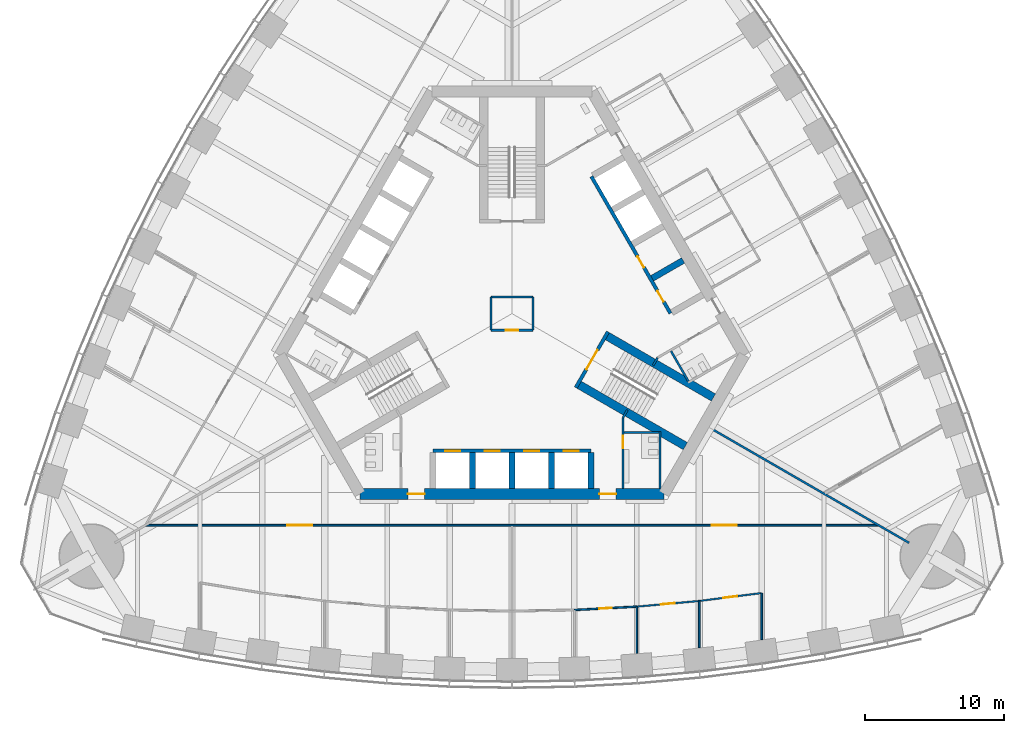
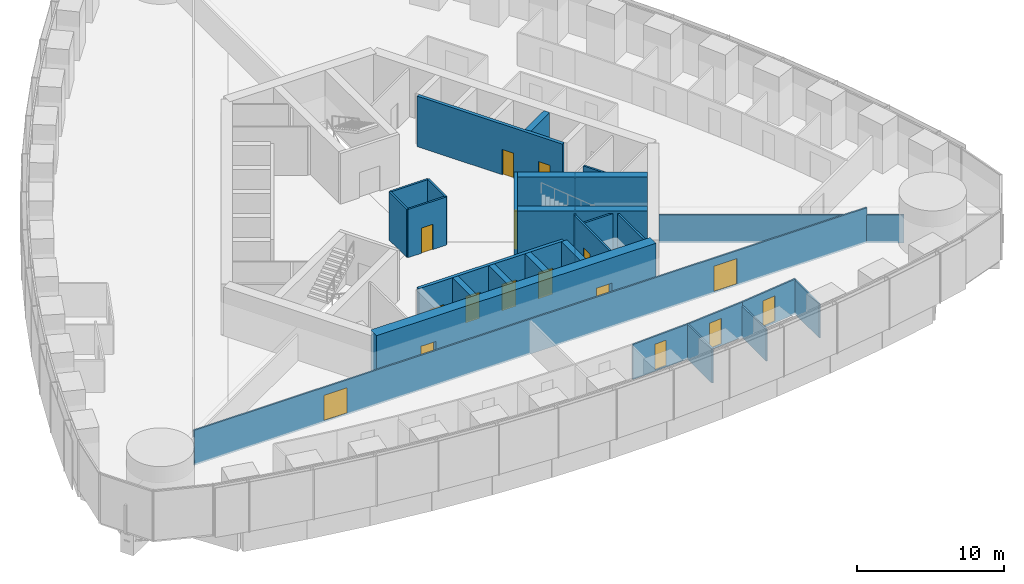
# One storey, part 11 of 18: 29 walls, 16 doors, 16 openings.
"""IFC4 building model written with IfcOpenShell, lengths in metres."""

from ifc_helpers import new_model, si_unit, direction, frame, frame_2d, origin, place, context, subcontext, project, spatial, rectangle, extrude, material, layer, layer_set, type_object, element, fill, save


model = new_model("IFC4")

# Units and contexts
model_context = context("Model", 3, precision=1e-05, world=origin(), true_north=direction((0.0, 1.0)))
body_context = subcontext(model_context, "Body", "Model", "MODEL_VIEW")
ifc_project = project(units=[si_unit("LENGTHUNIT", "METRE"), si_unit("AREAUNIT", "SQUARE_METRE"), si_unit("VOLUMEUNIT", "CUBIC_METRE"), si_unit("PLANEANGLEUNIT", "RADIAN"), si_unit("MASSUNIT", "GRAM", prefix="KILO")], contexts=[model_context])

# Site, building, storey
site_placement = place(None, origin())
site = spatial("IfcSite", under=ifc_project, at=site_placement, CompositionType="ELEMENT")
building_placement = place(site_placement, origin())
building = spatial("IfcBuilding", under=site, at=building_placement, Name="Trefoil Bronze Tower", CompositionType="ELEMENT")
storey_placement = place(building_placement, frame((0.0, 0.0, 111.5)))
storey = spatial("IfcBuildingStorey", under=building, at=storey_placement, Name="L25", CompositionType="ELEMENT", Elevation=111.5)

# Wall, openings, doors
ifc_material_1 = material(Name="Concrete B80", Category="concrete")
ifc_layer_1 = layer(ifc_material_1, 0.800048828125)
ifc_layer_set_1 = layer_set([ifc_layer_1], Name="Core wall 800")
wall_type_1 = type_object("IfcWallType", Name="Core wall 800", PredefinedType="SHEAR", material=ifc_layer_set_1)
wall_1_placement = place(storey_placement, frame((-10.9697265625, -13.0, 0.0), z_axis=(0.0, 0.0, 1.0), x_axis=(1.0, 0.0, 0.0)))
wall_1 = element("IfcWall", 1, at=wall_1_placement, inside=storey, type_object=wall_type_1, Name="Core long wall 1 L25", PredefinedType="SHEAR", context=body_context, shape_type="SweptSolid", body=[
    extrude(rectangle(XDim=21.939453125, YDim=0.800048828125, at=frame_2d((10.9697265625, 0.0))), origin(), (0.0, 0.0, 1.0), 4.199951171875),
])
opening_1_placement = place(wall_1_placement, frame((17.269775390625, 0.0, 0.0)))
opening_1 = element("IfcOpeningElement", 2, at=opening_1_placement, cuts=wall_1, Name="Opening D2", PredefinedType="OPENING", context=body_context, shape_type="SweptSolid", body=[
    extrude(rectangle(XDim=1.199951171875, YDim=2.10009765625, at=frame_2d((0.60009765625, 1.050048828125))), frame((0.0, 0.409912109375, 0.0), z_axis=(0.0, -1.0, 0.0), x_axis=(1.0, 0.0, 0.0)), (0.0, 0.0, 1.0), 0.820068359375),
])
opening_2_placement = place(wall_1_placement, frame((3.4697265625, 0.0, 0.0)))
opening_2 = element("IfcOpeningElement", 3, at=opening_2_placement, cuts=wall_1, Name="Opening D2", PredefinedType="OPENING", context=body_context, shape_type="SweptSolid", body=[
    extrude(rectangle(XDim=1.199951171875, YDim=2.10009765625, at=frame_2d((0.60009765625, 1.050048828125))), frame((0.0, 0.409912109375, 0.0), z_axis=(0.0, -1.0, 0.0), x_axis=(1.0, 0.0, 0.0)), (0.0, 0.0, 1.0), 0.820068359375),
])
ifc_material_2 = material(Name="Steel door", Category="steel")
door_type_1 = type_object("IfcDoorType", Name="Lobby door 1200", OperationType="SINGLE_SWING_RIGHT", PredefinedType="DOOR", material=ifc_material_2)
door_1_placement = place(opening_1_placement, origin())
door_1 = element("IfcDoor", 4, at=door_1_placement, inside=storey, type_object=door_type_1, Name="Lobby door F1+ L25", OperationType="SINGLE_SWING_RIGHT", OverallHeight=2.10009765625, OverallWidth=1.199951171875, PredefinedType="DOOR", context=body_context, shape_type="SweptSolid", body=[
    extrude(rectangle(XDim=1.199951171875, YDim=2.10009765625, at=frame_2d((0.60009765625, 1.050048828125))), frame((0.0, 0.02490234375, 0.0), z_axis=(0.0, -1.0, 0.0), x_axis=(1.0, 0.0, 0.0)), (0.0, 0.0, 1.0), 0.050048828125),
])
fill(opening_1, door_1)
door_2_placement = place(opening_2_placement, origin())
door_2 = element("IfcDoor", 5, at=door_2_placement, inside=storey, type_object=door_type_1, Name="Lobby door F1- L25", OperationType="SINGLE_SWING_LEFT", OverallHeight=2.10009765625, OverallWidth=1.199951171875, PredefinedType="DOOR", context=body_context, shape_type="SweptSolid", body=[
    extrude(rectangle(XDim=1.199951171875, YDim=2.10009765625, at=frame_2d((0.60009765625, 1.050048828125))), frame((0.0, 0.02490234375, 0.0), z_axis=(0.0, -1.0, 0.0), x_axis=(1.0, 0.0, 0.0)), (0.0, 0.0, 1.0), 0.050048828125),
])
fill(opening_2, door_2)

ifc_material_3 = material(Name="Glazed partition", Category="glass")
ifc_layer_2 = layer(ifc_material_3, 0.1201171875)
ifc_layer_set_2 = layer_set([ifc_layer_2], Name="Glazed partition 120")
wall_type_2 = type_object("IfcWallType", Name="Glazed partition 120", PredefinedType="PARTITIONING", material=ifc_layer_set_2)
wall_2_placement = place(storey_placement, frame((-26.398193359375, -15.260009765625, 0.0), z_axis=(0.0, 0.0, 1.0), x_axis=(1.0, 0.0, 0.0)))
wall_2 = element("IfcWall", 6, at=wall_2_placement, inside=storey, type_object=wall_type_2, Name="Partition F1 L25", PredefinedType="PARTITIONING", context=body_context, shape_type="SweptSolid", body=[
    extrude(rectangle(XDim=52.79638671875, YDim=0.1201171875, at=frame_2d((26.398193359375, 0.0))), origin(), (0.0, 0.0, 1.0), 2.89990234375),
])
opening_3_placement = place(wall_2_placement, frame((10.199951171875, 0.0, 0.14990234375)))
opening_3 = element("IfcOpeningElement", 7, at=opening_3_placement, cuts=wall_2, Name="Opening D10", PredefinedType="OPENING", context=body_context, shape_type="SweptSolid", body=[
    extrude(rectangle(XDim=1.800048828125, YDim=2.10009765625, at=frame_2d((0.89990234375, 1.050048828125))), frame((0.0, 0.070068359375, 0.0), z_axis=(0.0, -1.0, 0.0), x_axis=(1.0, 0.0, 0.0)), (0.0, 0.0, 1.0), 0.14013671875),
])
opening_4_placement = place(wall_2_placement, frame((40.800048828125, 0.0, 0.14990234375)))
opening_4 = element("IfcOpeningElement", 8, at=opening_4_placement, cuts=wall_2, Name="Opening D10", PredefinedType="OPENING", context=body_context, shape_type="SweptSolid", body=[
    extrude(rectangle(XDim=1.800048828125, YDim=2.10009765625, at=frame_2d((0.89990234375, 1.050048828125))), frame((0.0, 0.070068359375, 0.0), z_axis=(0.0, -1.0, 0.0), x_axis=(1.0, 0.0, 0.0)), (0.0, 0.0, 1.0), 0.14013671875),
])
ifc_material_4 = material(Name="Timber door", Category="wood")
door_type_2 = type_object("IfcDoorType", Name="Double door 1800", OperationType="DOUBLE_DOOR_SINGLE_SWING", PredefinedType="DOOR", material=ifc_material_4)
door_3_placement = place(opening_3_placement, origin())
door_3 = element("IfcDoor", 9, at=door_3_placement, inside=storey, type_object=door_type_2, Name="Corridor door F1 L25", OperationType="DOUBLE_DOOR_SINGLE_SWING", OverallHeight=2.10009765625, OverallWidth=1.800048828125, PredefinedType="DOOR", context=body_context, shape_type="SweptSolid", body=[
    extrude(rectangle(XDim=1.800048828125, YDim=2.10009765625, at=frame_2d((0.89990234375, 1.050048828125))), frame((0.0, 0.02490234375, 0.0), z_axis=(0.0, -1.0, 0.0), x_axis=(1.0, 0.0, 0.0)), (0.0, 0.0, 1.0), 0.050048828125),
])
fill(opening_3, door_3)
door_4_placement = place(opening_4_placement, origin())
door_4 = element("IfcDoor", 10, at=door_4_placement, inside=storey, type_object=door_type_2, Name="Corridor door F1 L25", OperationType="DOUBLE_DOOR_SINGLE_SWING", OverallHeight=2.10009765625, OverallWidth=1.800048828125, PredefinedType="DOOR", context=body_context, shape_type="SweptSolid", body=[
    extrude(rectangle(XDim=1.800048828125, YDim=2.10009765625, at=frame_2d((0.89990234375, 1.050048828125))), frame((0.0, 0.02490234375, 0.0), z_axis=(0.0, -1.0, 0.0), x_axis=(1.0, 0.0, 0.0)), (0.0, 0.0, 1.0), 0.050048828125),
])
fill(opening_4, door_4)

# Wall, opening, door
wall_3_placement = place(storey_placement, frame((13.5, -20.7177734375, 0.0), z_axis=(0.0, 0.0, 1.0), x_axis=(0.992010652594, 0.12615413247, 0.0)))
wall_3 = element("IfcWall", 11, at=wall_3_placement, inside=storey, type_object=wall_type_2, Name="Partition F1 L25", PredefinedType="PARTITIONING", context=body_context, shape_type="SweptSolid", body=[
    extrude(rectangle(XDim=4.5361328125, YDim=0.1201171875, at=frame_2d((2.26806640625, 0.0))), origin(), (0.0, 0.0, 1.0), 2.89990234375),
])
opening_5_placement = place(wall_3_placement, frame((1.75, 0.0, 0.14990234375)))
opening_5 = element("IfcOpeningElement", 12, at=opening_5_placement, cuts=wall_3, Name="Opening D9", PredefinedType="OPENING", context=body_context, shape_type="SweptSolid", body=[
    extrude(rectangle(XDim=1.0, YDim=2.10009765625, at=frame_2d((0.5, 1.050048828125))), frame((0.0, 0.070068359375, 0.0), z_axis=(0.0, -1.0, 0.0), x_axis=(1.0, 0.0, 0.0)), (0.0, 0.0, 1.0), 0.14013671875),
])
ifc_material_5 = material(Name="Glazed timber door", Category="wood")
door_type_3 = type_object("IfcDoorType", Name="Meeting room door 1000", OperationType="SINGLE_SWING_LEFT", PredefinedType="DOOR", material=ifc_material_5)
door_5_placement = place(opening_5_placement, frame((1.0, 0.0, 0.0), z_axis=(0.0, 0.0, 1.0), x_axis=(-1.0, 0.0, 0.0)))
door_5 = element("IfcDoor", 13, at=door_5_placement, inside=storey, type_object=door_type_3, Name="Meeting room door F1 L25", OperationType="SINGLE_SWING_RIGHT", OverallHeight=2.10009765625, OverallWidth=1.0, PredefinedType="DOOR", context=body_context, shape_type="SweptSolid", body=[
    extrude(rectangle(XDim=1.0, YDim=2.10009765625, at=frame_2d((0.5, 1.050048828125))), frame((0.0, 0.02490234375, 0.0), z_axis=(0.0, -1.0, 0.0), x_axis=(1.0, 0.0, 0.0)), (0.0, 0.0, 1.0), 0.050048828125),
])
fill(opening_5, door_5)

wall_4_placement = place(storey_placement, frame((4.5, -21.36865234375, 0.0), z_axis=(0.0, 0.0, 1.0), x_axis=(0.998537376538, 0.054065771581, 0.0)))
wall_4 = element("IfcWall", 14, at=wall_4_placement, inside=storey, type_object=wall_type_2, Name="Partition F1 L25", PredefinedType="PARTITIONING", context=body_context, shape_type="SweptSolid", body=[
    extrude(rectangle(XDim=4.506591796875, YDim=0.1201171875, at=frame_2d((2.25341796875, 0.0))), origin(), (0.0, 0.0, 1.0), 2.89990234375),
])
opening_6_placement = place(wall_4_placement, frame((1.800048828125, 0.0, 0.14990234375)))
opening_6 = element("IfcOpeningElement", 15, at=opening_6_placement, cuts=wall_4, Name="Opening D8", PredefinedType="OPENING", context=body_context, shape_type="SweptSolid", body=[
    extrude(rectangle(XDim=0.89990234375, YDim=2.10009765625, at=frame_2d((0.449951171875, 1.050048828125))), frame((0.0, 0.070068359375, 0.0), z_axis=(0.0, -1.0, 0.0), x_axis=(1.0, 0.0, 0.0)), (0.0, 0.0, 1.0), 0.14013671875),
])
ifc_material_6 = material(Name="Timber door", Category="wood")
door_type_4 = type_object("IfcDoorType", Name="Office door 900", OperationType="SINGLE_SWING_LEFT", PredefinedType="DOOR", material=ifc_material_6)
door_6_placement = place(opening_6_placement, frame((0.89990234375, 0.0, 0.0), z_axis=(0.0, 0.0, 1.0), x_axis=(-1.0, 0.0, 0.0)))
door_6 = element("IfcDoor", 16, at=door_6_placement, inside=storey, type_object=door_type_4, Name="Office door F1 L25", OperationType="SINGLE_SWING_RIGHT", OverallHeight=2.10009765625, OverallWidth=0.89990234375, PredefinedType="DOOR", context=body_context, shape_type="SweptSolid", body=[
    extrude(rectangle(XDim=0.89990234375, YDim=2.10009765625, at=frame_2d((0.449951171875, 1.050048828125))), frame((0.0, 0.02490234375, 0.0), z_axis=(0.0, -1.0, 0.0), x_axis=(1.0, 0.0, 0.0)), (0.0, 0.0, 1.0), 0.050048828125),
])
fill(opening_6, door_6)

wall_5_placement = place(storey_placement, frame((9.0, -21.125, 0.0), z_axis=(0.0, 0.0, 1.0), x_axis=(0.995930325215, 0.090126507295, 0.0)))
wall_5 = element("IfcWall", 17, at=wall_5_placement, inside=storey, type_object=wall_type_2, Name="Partition F1 L25", PredefinedType="PARTITIONING", context=body_context, shape_type="SweptSolid", body=[
    extrude(rectangle(XDim=4.518310546875, YDim=0.1201171875, at=frame_2d((2.25927734375, 0.0))), origin(), (0.0, 0.0, 1.0), 2.89990234375),
])
opening_7_placement = place(wall_5_placement, frame((1.75, 0.0, 0.14990234375)))
opening_7 = element("IfcOpeningElement", 18, at=opening_7_placement, cuts=wall_5, Name="Opening D9", PredefinedType="OPENING", context=body_context, shape_type="SweptSolid", body=[
    extrude(rectangle(XDim=1.0, YDim=2.10009765625, at=frame_2d((0.5, 1.050048828125))), frame((0.0, 0.070068359375, 0.0), z_axis=(0.0, -1.0, 0.0), x_axis=(1.0, 0.0, 0.0)), (0.0, 0.0, 1.0), 0.14013671875),
])
door_7_placement = place(opening_7_placement, frame((1.0, 0.0, 0.0), z_axis=(0.0, 0.0, 1.0), x_axis=(-1.0, 0.0, 0.0)))
door_7 = element("IfcDoor", 19, at=door_7_placement, inside=storey, type_object=door_type_3, Name="Meeting room door F1 L25", OperationType="SINGLE_SWING_RIGHT", OverallHeight=2.10009765625, OverallWidth=1.0, PredefinedType="DOOR", context=body_context, shape_type="SweptSolid", body=[
    extrude(rectangle(XDim=1.0, YDim=2.10009765625, at=frame_2d((0.5, 1.050048828125))), frame((0.0, 0.02490234375, 0.0), z_axis=(0.0, -1.0, 0.0), x_axis=(1.0, 0.0, 0.0)), (0.0, 0.0, 1.0), 0.050048828125),
])
fill(opening_7, door_7)

# Walls
wall_6_placement = place(storey_placement, frame((13.5, -20.7177734375, 0.0), z_axis=(0.0, 0.0, 1.0), x_axis=(0.0, -1.0, 0.0)))
element("IfcWall", 20, at=wall_6_placement, inside=storey, type_object=wall_type_2, Name="Partition F1 L25", PredefinedType="PARTITIONING", context=body_context, shape_type="SweptSolid", body=[
    extrude(rectangle(XDim=3.3603515625, YDim=0.1201171875, at=frame_2d((1.68017578125, 0.0))), origin(), (0.0, 0.0, 1.0), 2.60009765625),
])
wall_7_placement = place(storey_placement, frame((18.0, -20.1455078125, 0.0), z_axis=(0.0, 0.0, 1.0), x_axis=(0.0, -1.0, 0.0)))
element("IfcWall", 21, at=wall_7_placement, inside=storey, type_object=wall_type_2, Name="Partition F1 L25", PredefinedType="PARTITIONING", context=body_context, shape_type="SweptSolid", body=[
    extrude(rectangle(XDim=3.35302734375, YDim=0.1201171875, at=frame_2d((1.676513671875, 0.0))), origin(), (0.0, 0.0, 1.0), 2.800048828125),
])
wall_8_placement = place(storey_placement, frame((9.0, -21.125, 0.0), z_axis=(0.0, 0.0, 1.0), x_axis=(0.0, -1.0, 0.0)))
element("IfcWall", 22, at=wall_8_placement, inside=storey, type_object=wall_type_2, Name="Partition F1 L25", PredefinedType="PARTITIONING", context=body_context, shape_type="SweptSolid", body=[
    extrude(rectangle(XDim=3.36572265625, YDim=0.1201171875, at=frame_2d((1.682861328125, 0.0))), origin(), (0.0, 0.0, 1.0), 2.89990234375),
])
ifc_material_7 = material(Name="Concrete B80", Category="concrete")
ifc_layer_3 = layer(ifc_material_7, 0.449951171875)
ifc_layer_set_3 = layer_set([ifc_layer_3], Name="Outrigger shaft wall 450")
wall_type_3 = type_object("IfcWallType", Name="Outrigger shaft wall 450", PredefinedType="SHEAR", material=ifc_layer_set_3)
for number, where, z_axis, x_axis, name in (
    (23, (-2.85009765625, -10.02490234375, 0.0), (0.0, 0.0, 1.0), (0.0, -1.0, 0.0), "Lift shaft side wall A1 L25"),
    (24, (0.0, -10.02490234375, 0.0), (0.0, 0.0, 1.0), (0.0, -1.0, 0.0), "Lift shaft side wall A2 L25"),
    (25, (2.85009765625, -10.02490234375, 0.0), (0.0, 0.0, 1.0), (0.0, -1.0, 0.0), "Lift shaft side wall A3 L25"),
    (26, (5.699951171875, -10.02490234375, 0.0), (0.0, 0.0, 1.0), (0.0, -1.0, 0.0), "Lift shaft side wall A4 L25"),
):
    element("IfcWall", number, at=place(storey_placement, frame(where, z_axis=z_axis, x_axis=x_axis)), inside=storey, type_object=wall_type_3, Name=name, PredefinedType="SHEAR", context=body_context, shape_type="SweptSolid", body=[
        extrude(rectangle(XDim=2.5751953125, YDim=0.449951171875, at=frame_2d((1.28759765625, 0.0))), origin(), (0.0, 0.0, 1.0), 4.199951171875),
    ])
wall_9_placement = place(storey_placement, frame((10.10693359375, 2.54443359375, 0.0), z_axis=(0.0, 0.0, 1.0), x_axis=(0.866046643894, 0.499963209246, 0.0)))
element("IfcWall", 27, at=wall_9_placement, inside=storey, type_object=wall_type_3, Name="Lift shaft side wall B1 L25", PredefinedType="SHEAR", context=body_context, shape_type="SweptSolid", body=[
    extrude(rectangle(XDim=2.574951171875, YDim=0.449951171875, at=frame_2d((1.28759765625, 0.0))), origin(), (0.0, 0.0, 1.0), 4.199951171875),
])

# Wall, opening, door
ifc_material_8 = material(Name="Gypsum board on steel studs", Category="steel")
ifc_layer_4 = layer(ifc_material_8, 0.14990234375)
ifc_layer_set_4 = layer_set([ifc_layer_4], Name="Partition 150")
wall_type_4 = type_object("IfcWallType", Name="Partition 150", PredefinedType="PARTITIONING", material=ifc_layer_set_4)
wall_10_placement = place(storey_placement, frame((8.0, -7.5, 0.0), z_axis=(0.0, 0.0, 1.0), x_axis=(0.0, -1.0, 0.0)))
wall_10 = element("IfcWall", 28, at=wall_10_placement, inside=storey, type_object=wall_type_4, Name="Passage wall F1+ L25", PredefinedType="PARTITIONING", context=body_context, shape_type="SweptSolid", body=[
    extrude(rectangle(XDim=5.10009765625, YDim=0.14990234375, at=frame_2d((2.550048828125, 0.0))), origin(), (0.0, 0.0, 1.0), 4.0),
])
opening_8_placement = place(wall_10_placement, frame((1.300048828125, 0.0, 0.0)))
opening_8 = element("IfcOpeningElement", 29, at=opening_8_placement, cuts=wall_10, Name="Opening D3", PredefinedType="OPENING", context=body_context, shape_type="SweptSolid", body=[
    extrude(rectangle(XDim=0.89990234375, YDim=2.10009765625, at=frame_2d((0.449951171875, 1.050048828125))), frame((0.0, 0.0849609375, 0.0), z_axis=(0.0, -1.0, 0.0), x_axis=(1.0, 0.0, 0.0)), (0.0, 0.0, 1.0), 0.169921875),
])
ifc_material_9 = material(Name="Timber door", Category="wood")
door_type_5 = type_object("IfcDoorType", Name="WC door 900", OperationType="SINGLE_SWING_LEFT", PredefinedType="DOOR", material=ifc_material_9)
door_8_placement = place(opening_8_placement, origin())
door_8 = element("IfcDoor", 30, at=door_8_placement, inside=storey, type_object=door_type_5, Name="WC (men) door L25", OperationType="SINGLE_SWING_LEFT", OverallHeight=2.10009765625, OverallWidth=0.89990234375, PredefinedType="DOOR", context=body_context, shape_type="SweptSolid", body=[
    extrude(rectangle(XDim=0.89990234375, YDim=2.10009765625, at=frame_2d((0.449951171875, 1.050048828125))), frame((0.0, 0.02490234375, 0.0), z_axis=(0.0, -1.0, 0.0), x_axis=(1.0, 0.0, 0.0)), (0.0, 0.0, 1.0), 0.050048828125),
])
fill(opening_8, door_8)

# Walls
for number, where, z_axis, x_axis, name in (
    (31, (8.0, -7.5, 0.0), (0.0, 0.0, 1.0), (0.499842556608, 0.866116284689, 0.0), "WC wall ST1-1 L25"),
    (32, (10.4951171875, -3.17822265625, 0.0), (0.0, 0.0, 1.0), (-0.499842556608, -0.866116284689, 0.0), "WC wall ST1+1 L25"),
):
    element("IfcWall", number, at=place(storey_placement, frame(where, z_axis=z_axis, x_axis=x_axis)), inside=storey, type_object=wall_type_4, Name=name, PredefinedType="PARTITIONING", context=body_context, shape_type="SweptSolid", body=[
        extrude(rectangle(XDim=0.645263671875, YDim=0.14990234375, at=frame_2d((0.32275390625, 0.0))), origin(), (0.0, 0.0, 1.0), 4.0),
    ])
wall_11_placement = place(storey_placement, frame((10.659912109375, -8.5, 0.0), z_axis=(0.0, 0.0, 1.0), x_axis=(0.0, -1.0, 0.0)))
element("IfcWall", 33, at=wall_11_placement, inside=storey, type_object=wall_type_4, Name="WC partition WC (men) L25", PredefinedType="PARTITIONING", context=body_context, shape_type="SweptSolid", body=[
    extrude(rectangle(XDim=4.10009765625, YDim=0.14990234375, at=frame_2d((2.050048828125, 0.0))), origin(), (0.0, 0.0, 1.0), 4.0),
])
wall_12_placement = place(storey_placement, frame((8.074951171875, -8.574951171875, 0.0), z_axis=(0.0, 0.0, 1.0), x_axis=(1.0, 0.0, 0.0)))
element("IfcWall", 34, at=wall_12_placement, inside=storey, type_object=wall_type_4, Name="WC partition WC (men) L25", PredefinedType="PARTITIONING", context=body_context, shape_type="SweptSolid", body=[
    extrude(rectangle(XDim=2.510009765625, YDim=0.14990234375, at=frame_2d((1.2548828125, 0.0))), origin(), (0.0, 0.0, 1.0), 4.0),
])
wall_13_placement = place(storey_placement, frame((11.463623046875, -2.70556640625, 0.0), z_axis=(0.0, 0.0, 1.0), x_axis=(0.50001992892, -0.866013897511, 0.0)))
element("IfcWall", 35, at=wall_13_placement, inside=storey, type_object=wall_type_4, Name="WC partition WC (women) L25", PredefinedType="PARTITIONING", context=body_context, shape_type="SweptSolid", body=[
    extrude(rectangle(XDim=2.51025390625, YDim=0.14990234375, at=frame_2d((1.255126953125, 0.0))), origin(), (0.0, 0.0, 1.0), 4.0),
])
ifc_material_10 = material(Name="Gypsum board on steel studs", Category="steel")
ifc_layer_5 = layer(ifc_material_10, 0.14990234375)
ifc_layer_set_5 = layer_set([ifc_layer_5], Name="Party wall 150")
wall_type_5 = type_object("IfcWallType", Name="Party wall 150", PredefinedType="PARTITIONING", material=ifc_layer_set_5)
wall_14_placement = place(storey_placement, frame((14.202880859375, -8.199951171875, 0.0), z_axis=(0.0, 0.0, 1.0), x_axis=(0.866024668836, -0.500001272966, 0.0)))
element("IfcWall", 36, at=wall_14_placement, inside=storey, type_object=wall_type_5, Name="Party wall K1 L25", PredefinedType="PARTITIONING", context=body_context, shape_type="SweptSolid", body=[
    extrude(rectangle(XDim=16.64990234375, YDim=0.14990234375, at=frame_2d((8.324951171875, 0.0))), origin(), (0.0, 0.0, 1.0), 2.300048828125),
])

# Wall, opening, door
ifc_material_11 = material(Name="Gypsum board on steel studs", Category="steel")
ifc_layer_6 = layer(ifc_material_11, 0.14990234375)
ifc_layer_set_6 = layer_set([ifc_layer_6], Name="Riser wall 150")
wall_type_6 = type_object("IfcWallType", Name="Riser wall 150", PredefinedType="PARTITIONING", material=ifc_layer_set_6)
wall_15_placement = place(storey_placement, frame((-1.5, -1.199951171875, 0.0), z_axis=(0.0, 0.0, 1.0), x_axis=(1.0, 0.0, 0.0)))
wall_15 = element("IfcWall", 37, at=wall_15_placement, inside=storey, type_object=wall_type_6, Name="Riser wall L25", PredefinedType="PARTITIONING", context=body_context, shape_type="SweptSolid", body=[
    extrude(rectangle(XDim=3.0, YDim=0.14990234375, at=frame_2d((1.5, 0.0))), origin(), (0.0, 0.0, 1.0), 4.0),
])
opening_9_placement = place(wall_15_placement, frame((1.050048828125, 0.0, 0.0)))
opening_9 = element("IfcOpeningElement", 38, at=opening_9_placement, cuts=wall_15, Name="Opening D4", PredefinedType="OPENING", context=body_context, shape_type="SweptSolid", body=[
    extrude(rectangle(XDim=0.89990234375, YDim=2.10009765625, at=frame_2d((0.449951171875, 1.050048828125))), frame((0.0, 0.0849609375, 0.0), z_axis=(0.0, -1.0, 0.0), x_axis=(1.0, 0.0, 0.0)), (0.0, 0.0, 1.0), 0.169921875),
])
ifc_material_12 = material(Name="Steel door", Category="steel")
door_type_6 = type_object("IfcDoorType", Name="Riser door 900", OperationType="SINGLE_SWING_LEFT", PredefinedType="DOOR", material=ifc_material_12)
door_9_placement = place(opening_9_placement, frame((0.89990234375, 0.0, 0.0), z_axis=(0.0, 0.0, 1.0), x_axis=(-1.0, 0.0, 0.0)))
door_9 = element("IfcDoor", 39, at=door_9_placement, inside=storey, type_object=door_type_6, Name="Riser door L25", OperationType="SINGLE_SWING_LEFT", OverallHeight=2.10009765625, OverallWidth=0.89990234375, PredefinedType="DOOR", context=body_context, shape_type="SweptSolid", body=[
    extrude(rectangle(XDim=0.89990234375, YDim=2.10009765625, at=frame_2d((0.449951171875, 1.050048828125))), frame((0.0, 0.02490234375, 0.0), z_axis=(0.0, -1.0, 0.0), x_axis=(1.0, 0.0, 0.0)), (0.0, 0.0, 1.0), 0.050048828125),
])
fill(opening_9, door_9)

# Walls
wall_16_placement = place(storey_placement, frame((1.5, -1.199951171875, 0.0), z_axis=(0.0, 0.0, 1.0), x_axis=(0.0, 1.0, 0.0)))
element("IfcWall", 40, at=wall_16_placement, inside=storey, type_object=wall_type_6, Name="Riser wall L25", PredefinedType="PARTITIONING", context=body_context, shape_type="SweptSolid", body=[
    extrude(rectangle(XDim=2.39990234375, YDim=0.14990234375, at=frame_2d((1.199951171875, 0.0))), origin(), (0.0, 0.0, 1.0), 4.0),
])
wall_17_placement = place(storey_placement, frame((1.5, 1.199951171875, 0.0), z_axis=(0.0, 0.0, 1.0), x_axis=(-1.0, 0.0, 0.0)))
element("IfcWall", 41, at=wall_17_placement, inside=storey, type_object=wall_type_6, Name="Riser wall L25", PredefinedType="PARTITIONING", context=body_context, shape_type="SweptSolid", body=[
    extrude(rectangle(XDim=3.0, YDim=0.14990234375, at=frame_2d((1.5, 0.0))), origin(), (0.0, 0.0, 1.0), 4.0),
])
wall_18_placement = place(storey_placement, frame((-1.5, 1.199951171875, 0.0), z_axis=(0.0, 0.0, 1.0), x_axis=(0.0, -1.0, 0.0)))
element("IfcWall", 42, at=wall_18_placement, inside=storey, type_object=wall_type_6, Name="Riser wall L25", PredefinedType="PARTITIONING", context=body_context, shape_type="SweptSolid", body=[
    extrude(rectangle(XDim=2.39990234375, YDim=0.14990234375, at=frame_2d((1.199951171875, 0.0))), origin(), (0.0, 0.0, 1.0), 4.0),
])

# Wall, openings, doors
ifc_material_13 = material(Name="Concrete B80", Category="concrete")
ifc_layer_7 = layer(ifc_material_13, 0.25)
ifc_layer_set_7 = layer_set([ifc_layer_7], Name="Shaft wall 250")
wall_type_7 = type_object("IfcWallType", Name="Shaft wall 250", PredefinedType="SHEAR", material=ifc_layer_set_7)
wall_19_placement = place(storey_placement, frame((-5.699951171875, -9.89990234375, 0.0), z_axis=(0.0, 0.0, 1.0), x_axis=(1.0, 0.0, 0.0)))
wall_19 = element("IfcWall", 43, at=wall_19_placement, inside=storey, type_object=wall_type_7, Name="Lift shaft front wall A L25", PredefinedType="SHEAR", context=body_context, shape_type="SweptSolid", body=[
    extrude(rectangle(XDim=11.39990234375, YDim=0.25, at=frame_2d((5.699951171875, 0.0))), origin(), (0.0, 0.0, 1.0), 4.199951171875),
])
opening_10_placement = place(wall_19_placement, frame((0.875, 0.0, 0.0)))
opening_10 = element("IfcOpeningElement", 44, at=opening_10_placement, cuts=wall_19, Name="Opening LD-P21", PredefinedType="OPENING", context=body_context, shape_type="SweptSolid", body=[
    extrude(rectangle(XDim=1.10009765625, YDim=2.199951171875, at=frame_2d((0.550048828125, 1.10009765625))), frame((0.0, 0.135009765625, 0.0), z_axis=(0.0, -1.0, 0.0), x_axis=(1.0, 0.0, 0.0)), (0.0, 0.0, 1.0), 0.27001953125),
])
opening_11_placement = place(wall_19_placement, frame((3.72509765625, 0.0, 0.0)))
opening_11 = element("IfcOpeningElement", 45, at=opening_11_placement, cuts=wall_19, Name="Opening LD-P22", PredefinedType="OPENING", context=body_context, shape_type="SweptSolid", body=[
    extrude(rectangle(XDim=1.10009765625, YDim=2.199951171875, at=frame_2d((0.550048828125, 1.10009765625))), frame((0.0, 0.135009765625, 0.0), z_axis=(0.0, -1.0, 0.0), x_axis=(1.0, 0.0, 0.0)), (0.0, 0.0, 1.0), 0.27001953125),
])
opening_12_placement = place(wall_19_placement, frame((6.574951171875, 0.0, 0.0)))
opening_12 = element("IfcOpeningElement", 46, at=opening_12_placement, cuts=wall_19, Name="Opening LD-P23", PredefinedType="OPENING", context=body_context, shape_type="SweptSolid", body=[
    extrude(rectangle(XDim=1.10009765625, YDim=2.199951171875, at=frame_2d((0.550048828125, 1.10009765625))), frame((0.0, 0.135009765625, 0.0), z_axis=(0.0, -1.0, 0.0), x_axis=(1.0, 0.0, 0.0)), (0.0, 0.0, 1.0), 0.27001953125),
])
opening_13_placement = place(wall_19_placement, frame((9.425048828125, 0.0, 0.0)))
opening_13 = element("IfcOpeningElement", 47, at=opening_13_placement, cuts=wall_19, Name="Opening LD-P24", PredefinedType="OPENING", context=body_context, shape_type="SweptSolid", body=[
    extrude(rectangle(XDim=1.10009765625, YDim=2.199951171875, at=frame_2d((0.550048828125, 1.10009765625))), frame((0.0, 0.135009765625, 0.0), z_axis=(0.0, -1.0, 0.0), x_axis=(1.0, 0.0, 0.0)), (0.0, 0.0, 1.0), 0.27001953125),
])
ifc_material_14 = material(Name="Steel door", Category="steel")
door_type_7 = type_object("IfcDoorType", Name="Lift landing door 1100", OperationType="DOUBLE_DOOR_SLIDING", PredefinedType="DOOR", material=ifc_material_14)
door_10_placement = place(opening_10_placement, origin())
door_10 = element("IfcDoor", 48, at=door_10_placement, inside=storey, type_object=door_type_7, Name="Lift P21 landing door L25", OperationType="DOUBLE_DOOR_SLIDING", OverallHeight=2.199951171875, OverallWidth=1.10009765625, PredefinedType="DOOR", context=body_context, shape_type="SweptSolid", body=[
    extrude(rectangle(XDim=1.10009765625, YDim=2.199951171875, at=frame_2d((0.550048828125, 1.10009765625))), frame((0.0, 0.02490234375, 0.0), z_axis=(0.0, -1.0, 0.0), x_axis=(1.0, 0.0, 0.0)), (0.0, 0.0, 1.0), 0.050048828125),
])
fill(opening_10, door_10)
door_11_placement = place(opening_11_placement, origin())
door_11 = element("IfcDoor", 49, at=door_11_placement, inside=storey, type_object=door_type_7, Name="Lift P22 landing door L25", OperationType="DOUBLE_DOOR_SLIDING", OverallHeight=2.199951171875, OverallWidth=1.10009765625, PredefinedType="DOOR", context=body_context, shape_type="SweptSolid", body=[
    extrude(rectangle(XDim=1.10009765625, YDim=2.199951171875, at=frame_2d((0.550048828125, 1.10009765625))), frame((0.0, 0.02490234375, 0.0), z_axis=(0.0, -1.0, 0.0), x_axis=(1.0, 0.0, 0.0)), (0.0, 0.0, 1.0), 0.050048828125),
])
fill(opening_11, door_11)
door_12_placement = place(opening_12_placement, origin())
door_12 = element("IfcDoor", 50, at=door_12_placement, inside=storey, type_object=door_type_7, Name="Lift P23 landing door L25", OperationType="DOUBLE_DOOR_SLIDING", OverallHeight=2.199951171875, OverallWidth=1.10009765625, PredefinedType="DOOR", context=body_context, shape_type="SweptSolid", body=[
    extrude(rectangle(XDim=1.10009765625, YDim=2.199951171875, at=frame_2d((0.550048828125, 1.10009765625))), frame((0.0, 0.02490234375, 0.0), z_axis=(0.0, -1.0, 0.0), x_axis=(1.0, 0.0, 0.0)), (0.0, 0.0, 1.0), 0.050048828125),
])
fill(opening_12, door_12)
door_13_placement = place(opening_13_placement, origin())
door_13 = element("IfcDoor", 51, at=door_13_placement, inside=storey, type_object=door_type_7, Name="Lift P24 landing door L25", OperationType="DOUBLE_DOOR_SLIDING", OverallHeight=2.199951171875, OverallWidth=1.10009765625, PredefinedType="DOOR", context=body_context, shape_type="SweptSolid", body=[
    extrude(rectangle(XDim=1.10009765625, YDim=2.199951171875, at=frame_2d((0.550048828125, 1.10009765625))), frame((0.0, 0.02490234375, 0.0), z_axis=(0.0, -1.0, 0.0), x_axis=(1.0, 0.0, 0.0)), (0.0, 0.0, 1.0), 0.050048828125),
])
fill(opening_13, door_13)

wall_20_placement = place(storey_placement, frame((11.423583984375, 0.013671875, 0.0), z_axis=(0.0, 0.0, 1.0), x_axis=(-0.500001763848, 0.866024385424, 0.0)))
wall_20 = element("IfcWall", 52, at=wall_20_placement, inside=storey, type_object=wall_type_7, Name="Lift shaft front wall B L25", PredefinedType="SHEAR", context=body_context, shape_type="SweptSolid", body=[
    extrude(rectangle(XDim=11.39990234375, YDim=0.25, at=frame_2d((5.699951171875, 0.0))), origin(), (0.0, 0.0, 1.0), 4.199951171875),
])
opening_14_placement = place(wall_20_placement, frame((0.97509765625, 0.0, 0.0)))
opening_14 = element("IfcOpeningElement", 53, at=opening_14_placement, cuts=wall_20, Name="Opening D12", PredefinedType="OPENING", context=body_context, shape_type="SweptSolid", body=[
    extrude(rectangle(XDim=0.89990234375, YDim=2.10009765625, at=frame_2d((0.449951171875, 1.050048828125))), frame((0.0, 0.135009765625, 0.0), z_axis=(0.0, -1.0, 0.0), x_axis=(1.0, 0.0, 0.0)), (0.0, 0.0, 1.0), 0.27001953125),
])
opening_15_placement = place(wall_20_placement, frame((3.824951171875, 0.0, 0.0)))
opening_15 = element("IfcOpeningElement", 54, at=opening_15_placement, cuts=wall_20, Name="Opening D12", PredefinedType="OPENING", context=body_context, shape_type="SweptSolid", body=[
    extrude(rectangle(XDim=0.89990234375, YDim=2.10009765625, at=frame_2d((0.449951171875, 1.050048828125))), frame((0.0, 0.135009765625, 0.0), z_axis=(0.0, -1.0, 0.0), x_axis=(1.0, 0.0, 0.0)), (0.0, 0.0, 1.0), 0.27001953125),
])
ifc_material_15 = material(Name="Steel door", Category="steel")
door_type_8 = type_object("IfcDoorType", Name="Shaft room door 900", OperationType="SINGLE_SWING_LEFT", PredefinedType="DOOR", material=ifc_material_15)
door_14_placement = place(opening_14_placement, frame((0.89990234375, 0.0, 0.0), z_axis=(0.0, 0.0, 1.0), x_axis=(-1.0, 0.0, 0.0)))
door_14 = element("IfcDoor", 55, at=door_14_placement, inside=storey, type_object=door_type_8, Name="Shaft room door B1 L25", OperationType="SINGLE_SWING_LEFT", OverallHeight=2.10009765625, OverallWidth=0.89990234375, PredefinedType="DOOR", context=body_context, shape_type="SweptSolid", body=[
    extrude(rectangle(XDim=0.89990234375, YDim=2.10009765625, at=frame_2d((0.449951171875, 1.050048828125))), frame((0.0, 0.02490234375, 0.0), z_axis=(0.0, -1.0, 0.0), x_axis=(1.0, 0.0, 0.0)), (0.0, 0.0, 1.0), 0.050048828125),
])
fill(opening_14, door_14)
door_15_placement = place(opening_15_placement, frame((0.89990234375, 0.0, 0.0), z_axis=(0.0, 0.0, 1.0), x_axis=(-1.0, 0.0, 0.0)))
door_15 = element("IfcDoor", 56, at=door_15_placement, inside=storey, type_object=door_type_8, Name="Shaft room door B2 L25", OperationType="SINGLE_SWING_RIGHT", OverallHeight=2.10009765625, OverallWidth=0.89990234375, PredefinedType="DOOR", context=body_context, shape_type="SweptSolid", body=[
    extrude(rectangle(XDim=0.89990234375, YDim=2.10009765625, at=frame_2d((0.449951171875, 1.050048828125))), frame((0.0, 0.02490234375, 0.0), z_axis=(0.0, -1.0, 0.0), x_axis=(1.0, 0.0, 0.0)), (0.0, 0.0, 1.0), 0.050048828125),
])
fill(opening_15, door_15)

# Wall, opening, door
wall_21_placement = place(storey_placement, frame((4.5966796875, -5.338623046875, 0.0), z_axis=(0.0, 0.0, 1.0), x_axis=(0.499984536904, 0.866034331223, 0.0)))
wall_21 = element("IfcWall", 57, at=wall_21_placement, inside=storey, type_object=wall_type_7, Name="Stair end wall ST1 L25", PredefinedType="SHEAR", context=body_context, shape_type="SweptSolid", body=[
    extrude(rectangle(XDim=4.650146484375, YDim=0.25, at=frame_2d((2.3251953125, 0.0))), origin(), (0.0, 0.0, 1.0), 4.199951171875),
])
opening_16_placement = place(wall_21_placement, frame((1.52490234375, 0.0, 0.0)))
opening_16 = element("IfcOpeningElement", 58, at=opening_16_placement, cuts=wall_21, Name="Opening D1", PredefinedType="OPENING", context=body_context, shape_type="SweptSolid", body=[
    extrude(rectangle(XDim=1.60009765625, YDim=2.10009765625, at=frame_2d((0.800048828125, 1.050048828125))), frame((0.0, 0.135009765625, 0.0), z_axis=(0.0, -1.0, 0.0), x_axis=(1.0, 0.0, 0.0)), (0.0, 0.0, 1.0), 0.27001953125),
])
ifc_material_16 = material(Name="Steel door", Category="steel")
door_type_9 = type_object("IfcDoorType", Name="Stair door 1600", OperationType="DOUBLE_DOOR_SINGLE_SWING", PredefinedType="DOOR", material=ifc_material_16)
door_16_placement = place(opening_16_placement, frame((1.60009765625, 0.0, 0.0), z_axis=(0.0, 0.0, 1.0), x_axis=(-1.0, 0.0, 0.0)))
door_16 = element("IfcDoor", 59, at=door_16_placement, inside=storey, type_object=door_type_9, Name="Stair door ST1 L25", OperationType="DOUBLE_DOOR_SINGLE_SWING", OverallHeight=2.10009765625, OverallWidth=1.60009765625, PredefinedType="DOOR", context=body_context, shape_type="SweptSolid", body=[
    extrude(rectangle(XDim=1.60009765625, YDim=2.10009765625, at=frame_2d((0.800048828125, 1.050048828125))), frame((0.0, 0.02490234375, 0.0), z_axis=(0.0, -1.0, 0.0), x_axis=(1.0, 0.0, 0.0)), (0.0, 0.0, 1.0), 0.050048828125),
])
fill(opening_16, door_16)

# Walls
ifc_material_17 = material(Name="Concrete B80", Category="concrete")
ifc_layer_8 = layer(ifc_material_17, 0.60009765625)
ifc_layer_set_8 = layer_set([ifc_layer_8], Name="Stair wall 600")
wall_type_8 = type_object("IfcWallType", Name="Stair wall 600", PredefinedType="SHEAR", material=ifc_layer_set_8)
for number, where, z_axis, x_axis, name in (
    (60, (4.638427734375, -5.01611328125, 0.0), (0.0, 0.0, 1.0), (0.866019375473, -0.500010441196, 0.0), "Stair wall ST1 L25"),
    (61, (6.663330078125, -1.5087890625, 0.0), (0.0, 0.0, 1.0), (0.866019375473, -0.500010441196, 0.0), "Stair wall ST1 L25"),
):
    element("IfcWall", number, at=place(storey_placement, frame(where, z_axis=z_axis, x_axis=x_axis)), inside=storey, type_object=wall_type_8, Name=name, PredefinedType="SHEAR", context=body_context, shape_type="SweptSolid", body=[
        extrude(rectangle(XDim=9.074951171875, YDim=0.60009765625, at=frame_2d((4.53759765625, 0.0))), origin(), (0.0, 0.0, 1.0), 4.199951171875),
    ])

save(model, "model.ifc")
